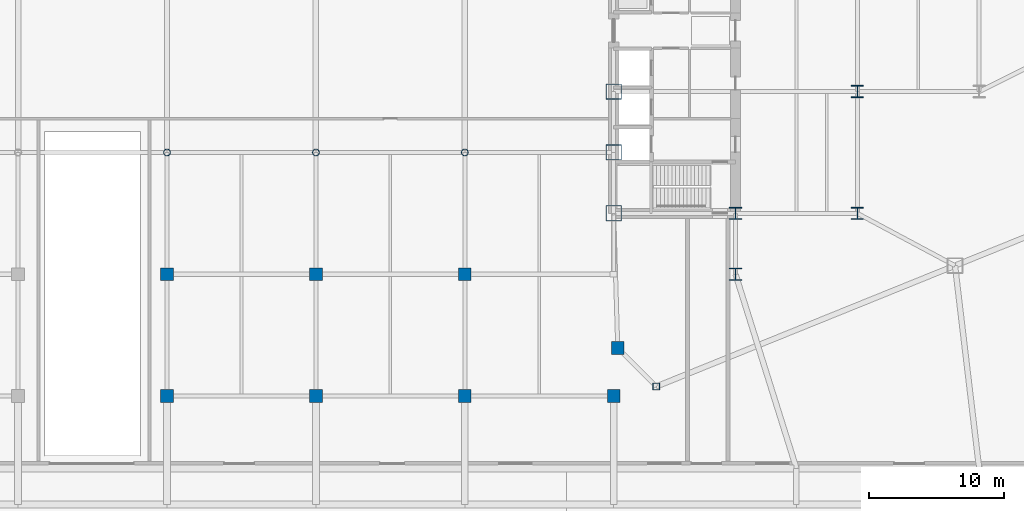
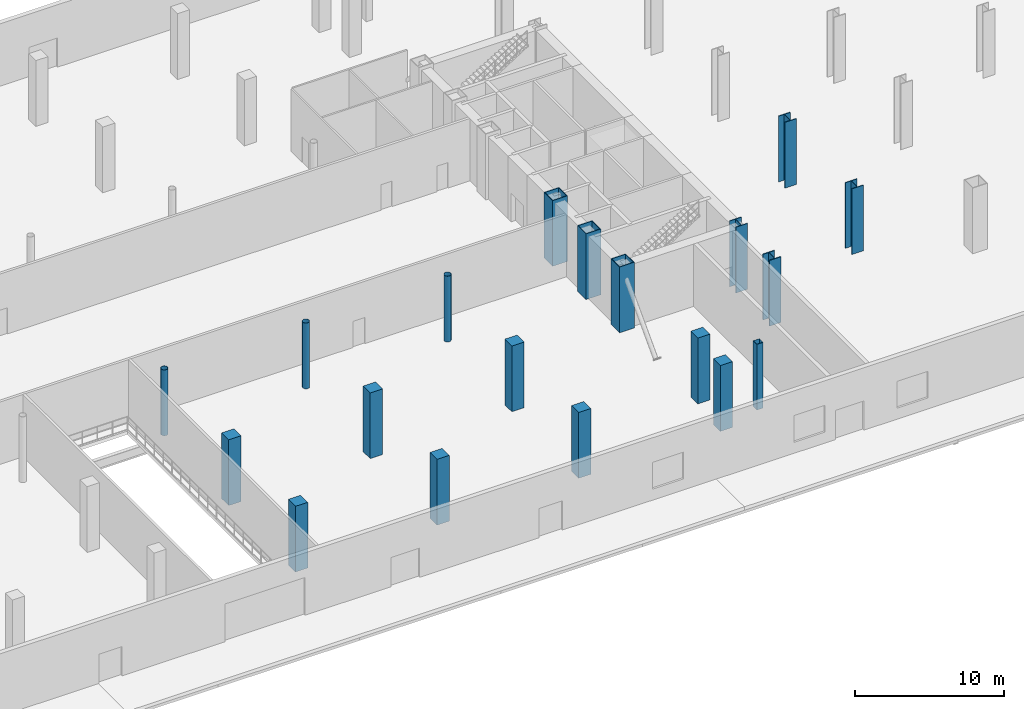
# One storey, part 4 of 21: 19 columns.
"""IFC4 building model written with IfcOpenShell, lengths in metres."""

import ifcopenshell
import ifcopenshell.guid

model = None  # the IFC model being written
_history = None  # IfcOwnerHistory: only IFC2X3 demands one
_inside = {}  # id of a spatial element -> (the spatial element, [elements in it])
_under = {}  # id of a project, library or spatial element -> (it, [spatial elements below it])
_declared = {}  # id of a project -> (the project, [libraries it declares])
_typed = {}  # id of a type object -> (the type object, [elements of that type])
_made_of = {}  # id of a material, layer set ... -> (it, [elements and type objects made of it])


def new_model(schema):
    """Start an empty IFC model of exactly this schema.

    Asked for "IFC4X3", IfcOpenShell would pick the latest addendum, in which some entities
    have other attributes; the version numbers below select the first issue.
    IFC2X3 requires an IfcOwnerHistory on every rooted entity: one is made here for all.
    """
    global model, _history
    if schema == "IFC4X3":
        model = ifcopenshell.file(schema_version=(4, 3, 0, 0))
    else:
        model = ifcopenshell.file(schema=schema)
    _inside.clear()
    _under.clear()
    _declared.clear()
    _typed.clear()
    _made_of.clear()
    _history = None
    if model.schema == "IFC2X3":
        org = make("IfcOrganization", Name="unknown")
        user = make(
            "IfcPersonAndOrganization",
            ThePerson=make("IfcPerson", FamilyName="unknown"),
            TheOrganization=org,
        )
        app = make(
            "IfcApplication",
            ApplicationDeveloper=org,
            Version="unknown",
            ApplicationFullName="unknown",
            ApplicationIdentifier="unknown",
        )
        _history = make(
            "IfcOwnerHistory",
            OwningUser=user,
            OwningApplication=app,
            ChangeAction="ADDED",
            CreationDate=0,
        )
    return model


def make(cls, **values):
    """One entity of the class cls with the attributes given. An attribute that is None is left unset."""
    return model.create_entity(
        cls, **{name: value for name, value in values.items() if value is not None}
    )


def rooted(cls, **values):
    """An entity with a GlobalId (a new one), such as an element, a storey or a relation."""
    return make(cls, GlobalId=ifcopenshell.guid.new(), OwnerHistory=_history, **values)


def si_unit(unit_type, name, prefix=None):
    """IfcSIUnit, for example si_unit("LENGTHUNIT", "METRE", prefix="MILLI")."""
    return make("IfcSIUnit", UnitType=unit_type, Prefix=prefix, Name=name)


def assignment(units):
    """IfcUnitAssignment: the units of a project."""
    return None if units is None else make("IfcUnitAssignment", Units=units)


def point(xyz):
    """IfcCartesianPoint."""
    return None if xyz is None else make("IfcCartesianPoint", Coordinates=xyz)


def direction(xyz):
    """IfcDirection."""
    return None if xyz is None else make("IfcDirection", DirectionRatios=xyz)


def frame(location, z_axis=None, x_axis=None):
    """IfcAxis2Placement3D, a coordinate frame: its origin and axes. An axis left out is left unset."""
    return make(
        "IfcAxis2Placement3D",
        Location=point(location),
        Axis=direction(z_axis),
        RefDirection=direction(x_axis),
    )


def frame_2d(location, x_axis=None):
    """IfcAxis2Placement2D, a coordinate frame in the plane: its origin and x axis."""
    return make(
        "IfcAxis2Placement2D", Location=point(location), RefDirection=direction(x_axis)
    )


def origin():
    """The frame at (0, 0, 0) with its axes left unset."""
    return frame((0.0, 0.0, 0.0))


def origin_2d():
    """The frame at (0, 0) in the plane with its x axis left unset."""
    return frame_2d((0.0, 0.0))


def place(relative_to, where):
    """IfcLocalPlacement: puts the frame where relative to a parent placement (None: the world)."""
    return make(
        "IfcLocalPlacement", PlacementRelTo=relative_to, RelativePlacement=where
    )


def context(
    kind, dimensions, precision=None, world=None, true_north=None, identifier=None
):
    """IfcGeometricRepresentationContext, for example the 3D "Model" context."""
    return make(
        "IfcGeometricRepresentationContext",
        ContextIdentifier=identifier,
        ContextType=kind,
        CoordinateSpaceDimension=dimensions,
        Precision=precision,
        WorldCoordinateSystem=world,
        TrueNorth=true_north,
    )


def subcontext(parent, identifier, kind, view, scale=None):
    """IfcGeometricRepresentationSubContext, for example "Body" below "Model"."""
    return make(
        "IfcGeometricRepresentationSubContext",
        ContextIdentifier=identifier,
        ContextType=kind,
        ParentContext=parent,
        TargetScale=scale,
        TargetView=view,
    )


def project(units=None, contexts=None):
    """IfcProject with its units and contexts."""
    return rooted(
        "IfcProject",
        Name="project",
        RepresentationContexts=contexts,
        UnitsInContext=assignment(units),
    )


def spatial(cls, under=None, at=None, **own):
    """A site, building, storey or space (cls), placed at a placement, below another one or the project."""
    s = rooted(cls, ObjectPlacement=at, **own)
    if under is not None:
        _under.setdefault(under.id(), (under, []))[1].append(s)
    return s


def profile(cls, at=None, kind="AREA", **sizes):
    """A parametric profile (cls). Its sizes go by their IFC names, for example OverallWidth=200.0."""
    return make(cls, ProfileType=kind, Position=at, **sizes)


def rectangle(**sizes):
    """IfcRectangleProfileDef."""
    return profile("IfcRectangleProfileDef", **sizes)


def hollow_rectangle(**sizes):
    """IfcRectangleHollowProfileDef."""
    return profile("IfcRectangleHollowProfileDef", **sizes)


def hollow_circle(**sizes):
    """IfcCircleHollowProfileDef."""
    return profile("IfcCircleHollowProfileDef", **sizes)


def i_section(**sizes):
    """IfcIShapeProfileDef."""
    return profile("IfcIShapeProfileDef", **sizes)


def extrude(swept, where, along, depth):
    """IfcExtrudedAreaSolid: the profile swept, set in the frame where, extruded along a direction by depth."""
    return make(
        "IfcExtrudedAreaSolid",
        SweptArea=swept,
        Position=where,
        ExtrudedDirection=direction(along),
        Depth=depth,
    )


def shape(context_of_items, identifier, shape_type, items):
    """IfcShapeRepresentation: the items that make up one representation, for example the "Body"."""
    return make(
        "IfcShapeRepresentation",
        ContextOfItems=context_of_items,
        RepresentationIdentifier=identifier,
        RepresentationType=shape_type,
        Items=items,
    )


def source(mapping_origin, context_of_items, identifier, shape_type, items):
    """IfcRepresentationMap: a shape defined once, which mapped items show again and again."""
    return make(
        "IfcRepresentationMap",
        MappingOrigin=mapping_origin,
        MappedRepresentation=shape(context_of_items, identifier, shape_type, items),
    )


def transform(
    local_origin,
    x_axis=None,
    y_axis=None,
    z_axis=None,
    scale=None,
    scale2=None,
    scale3=None,
    uniform=True,
):
    """IfcCartesianTransformationOperator3D, or its non-uniform kind. x_axis, y_axis, z_axis: its Axis1, 2, 3."""
    if uniform:
        return make(
            "IfcCartesianTransformationOperator3D",
            Axis1=direction(x_axis),
            Axis2=direction(y_axis),
            LocalOrigin=point(local_origin),
            Scale=scale,
            Axis3=direction(z_axis),
        )
    return make(
        "IfcCartesianTransformationOperator3DnonUniform",
        Axis1=direction(x_axis),
        Axis2=direction(y_axis),
        LocalOrigin=point(local_origin),
        Scale=scale,
        Axis3=direction(z_axis),
        Scale2=scale2,
        Scale3=scale3,
    )


def mapped(mapping_source, mapping_target):
    """IfcMappedItem: shows the shape of a source again, moved by a transform."""
    return make(
        "IfcMappedItem", MappingSource=mapping_source, MappingTarget=mapping_target
    )


def material(Name=None, Category=None):
    """IfcMaterial."""
    return make("IfcMaterial", Name=Name, Category=Category)


def material_profile(
    of_material, cross_section, Name=None, Category=None, Priority=None
):
    """IfcMaterialProfile: a cross section and its material."""
    return make(
        "IfcMaterialProfile",
        Name=Name,
        Material=of_material,
        Profile=cross_section,
        Priority=Priority,
        Category=Category,
    )


def profile_set(profiles, Name=None, composite=None):
    """IfcMaterialProfileSet."""
    return make(
        "IfcMaterialProfileSet",
        Name=Name,
        MaterialProfiles=profiles,
        CompositeProfile=composite,
    )


def made_of(thing, what):
    """Note that an element or type object is made of a material, layer set ...; save() writes the relation."""
    if what is not None:
        _made_of.setdefault(what.id(), (what, []))[1].append(thing)
    return thing


def type_object(cls, material=None, **own):
    """A type object (cls), such as IfcWallType, which elements share."""
    return made_of(rooted(cls, **own), material)


def type_shapes(of_type, sources):
    """Give a type object the sources (RepresentationMaps) that its elements show as mapped items."""
    of_type.RepresentationMaps = sources


def element(
    cls,
    number,
    at=None,
    inside=None,
    cuts=None,
    type_object=None,
    material=None,
    context=None,
    identifier="Body",
    shape_type=None,
    held_by="IfcProductDefinitionShape",
    body=None,
    shapes=None,
    **own,
):
    """One element of the class cls, such as IfcWall. Its Tag is "e" and its number.

    at: its placement. inside: the storey or other place that contains it. cuts: it is an
    opening in that element (IfcRelVoidsElement). A single representation is given by context,
    identifier, shape_type and body (its items); several are given by shapes. held_by: the class
    of the entity that holds the representations. save() writes the other relations.
    """
    e = rooted(cls, Tag="e%d" % number, ObjectPlacement=at, **own)
    if body is not None:
        shapes = [shape(context, identifier, shape_type, body)]
    if shapes is not None:
        e.Representation = make(held_by, Representations=shapes)
    if inside is not None:
        _inside.setdefault(inside.id(), (inside, []))[1].append(e)
    if cuts is not None:
        rooted(
            "IfcRelVoidsElement", RelatingBuildingElement=cuts, RelatedOpeningElement=e
        )
    if type_object is not None:
        _typed.setdefault(type_object.id(), (type_object, []))[1].append(e)
    return made_of(e, material)


def aggregate(whole, parts):
    """IfcRelAggregates: a whole, such as a stair, and the parts it consists of."""
    return rooted("IfcRelAggregates", RelatingObject=whole, RelatedObjects=parts)


def save(model, path):
    """Write the relations noted so far, then the file.

    IfcRelAggregates (storeys below a building ...), IfcRelContainedInSpatialStructure (elements
    in a storey), IfcRelDefinesByType, IfcRelAssociatesMaterial and IfcRelDeclares: one each for
    every whole, place, type object, material and project.
    """
    for whole, parts in _under.values():
        aggregate(whole, parts)
    for where, things in _inside.values():
        rooted(
            "IfcRelContainedInSpatialStructure",
            RelatedElements=things,
            RelatingStructure=where,
        )
    for kind, things in _typed.values():
        rooted("IfcRelDefinesByType", RelatedObjects=things, RelatingType=kind)
    for what, things in _made_of.values():
        rooted("IfcRelAssociatesMaterial", RelatedObjects=things, RelatingMaterial=what)
    for by, libraries in _declared.values():
        rooted("IfcRelDeclares", RelatingContext=by, RelatedDefinitions=libraries)
    model.write(path)


model = new_model("IFC4")

# Units and contexts
model_context = context("Model", 3, precision=1e-05, world=origin(), true_north=direction((0.0, 1.0)))
body_context = subcontext(model_context, "Body", "Model", "MODEL_VIEW")
ifc_project = project(units=[si_unit("LENGTHUNIT", "METRE"), si_unit("AREAUNIT", "SQUARE_METRE"), si_unit("VOLUMEUNIT", "CUBIC_METRE"), si_unit("PLANEANGLEUNIT", "RADIAN"), si_unit("MASSUNIT", "GRAM", prefix="KILO")], contexts=[model_context])

# Site, building, storey
site_placement = place(None, origin())
site = spatial("IfcSite", under=ifc_project, at=site_placement, CompositionType="ELEMENT")
building_placement = place(site_placement, origin())
building = spatial("IfcBuilding", under=site, at=building_placement, Name="Seokmaru Belvedere", CompositionType="ELEMENT")
storey_placement = place(building_placement, origin())
storey = spatial("IfcBuildingStorey", under=building, at=storey_placement, Name="L00", CompositionType="ELEMENT", Elevation=0.0)

# Columns
ifc_material_1 = material(Name="Steel HSA650 (650 MPa)", Category="steel")
ifc_material_profile_1 = material_profile(ifc_material_1, hollow_rectangle(XDim=1.14990234375, YDim=1.14990234375, WallThickness=0.048095703125, at=origin_2d()), Name="BOX-1150x1150x48")
ifc_profile_set_1 = profile_set([ifc_material_profile_1], Name="Steel HSA650 (650 MPa)")
column_type_1 = type_object("IfcColumnType", Name="Portal Spine Column BOX-1150", PredefinedType="COLUMN", material=ifc_profile_set_1)
shared_shape_1 = source(origin(), body_context, "Body", "SweptSolid", [
    extrude(hollow_rectangle(XDim=1.14990234375, YDim=1.14990234375, WallThickness=0.048095703125, at=origin_2d()), origin(), (0.0, 0.0, 1.0), 5.39990234375),
])
type_shapes(column_type_1, [shared_shape_1])
for number, where, z_axis, x_axis, name in (
    (1, (27.5, -13.5, 0.0), (0.0, 0.0, 1.0), (1.0, 0.0, 0.0), "L00 Column ES1"),
    (2, (27.5, -9.0, 0.0), (0.0, 0.0, 1.0), (1.0, 0.0, 0.0), "L00 Column ES2"),
    (3, (27.5, -4.5, 0.0), (0.0, 0.0, 1.0), (1.0, 0.0, 0.0), "L00 Column ES3"),
):
    element("IfcColumn", number, at=place(storey_placement, frame(where, z_axis=z_axis, x_axis=x_axis)), inside=storey, type_object=column_type_1, Name=name, PredefinedType="COLUMN", context=body_context, shape_type="MappedRepresentation", body=[
        mapped(shared_shape_1, transform((0.0, 0.0, 0.0), scale=1.0)),
    ])
ifc_material_2 = material(Name="Concrete C50 (50 MPa)", Category="concrete")
ifc_material_profile_2 = material_profile(ifc_material_2, rectangle(XDim=0.949951171875, YDim=0.949951171875, at=origin_2d()), Name="RC-950x950")
ifc_profile_set_2 = profile_set([ifc_material_profile_2], Name="Concrete C50 (50 MPa)")
column_type_2 = type_object("IfcColumnType", Name="Podium Substructure Column RC-950", PredefinedType="COLUMN", material=ifc_profile_set_2)
shared_shape_2 = source(origin(), body_context, "Body", "SweptSolid", [
    extrude(rectangle(XDim=0.949951171875, YDim=0.949951171875, at=origin_2d()), origin(), (0.0, 0.0, 1.0), 5.39990234375),
])
type_shapes(column_type_2, [shared_shape_2])
for number, where, z_axis, x_axis, name in (
    (4, (27.5, -27.0, 0.0), (0.0, 0.0, 1.0), (1.0, 0.0, 0.0), "L00 Column EPS1"),
    (5, (27.800048828125, -23.451416015625, 0.0), (0.0, 0.0, 1.0), (1.0, 0.0, 0.0), "L00 Column EPM_S"),
    (6, (-5.5, -27.0, 0.0), (0.0, 0.0, 1.0), (1.0, 0.0, 0.0), "L00 Column CP2_1"),
    (7, (-5.5, -18.0, 0.0), (0.0, 0.0, 1.0), (1.0, 0.0, 0.0), "L00 Column CP2_2"),
    (8, (5.5, -27.0, 0.0), (0.0, 0.0, 1.0), (1.0, 0.0, 0.0), "L00 Column CP3_1"),
    (9, (5.5, -18.0, 0.0), (0.0, 0.0, 1.0), (1.0, 0.0, 0.0), "L00 Column CP3_2"),
    (10, (16.5, -27.0, 0.0), (0.0, 0.0, 1.0), (1.0, 0.0, 0.0), "L00 Column CP4_1"),
    (11, (16.5, -18.0, 0.0), (0.0, 0.0, 1.0), (1.0, 0.0, 0.0), "L00 Column CP4_2"),
):
    element("IfcColumn", number, at=place(storey_placement, frame(where, z_axis=z_axis, x_axis=x_axis)), inside=storey, type_object=column_type_2, Name=name, PredefinedType="COLUMN", context=body_context, shape_type="MappedRepresentation", body=[
        mapped(shared_shape_2, transform((0.0, 0.0, 0.0), scale=1.0)),
    ])
ifc_material_profile_3 = material_profile(ifc_material_1, i_section(OverallWidth=0.89990234375, OverallDepth=0.89990234375, WebThickness=0.035888671875, FlangeThickness=0.054931640625, at=origin_2d()), Name="H-900x900x36x55")
ifc_profile_set_3 = profile_set([ifc_material_profile_3], Name="Steel HSA650 (650 MPa)")
column_type_3 = type_object("IfcColumnType", Name="Lower Interior Column H-900", PredefinedType="COLUMN", material=ifc_profile_set_3)
shared_shape_3 = source(origin(), body_context, "Body", "SweptSolid", [
    extrude(i_section(OverallWidth=0.89990234375, OverallDepth=0.89990234375, WebThickness=0.035888671875, FlangeThickness=0.054931640625, at=origin_2d()), origin(), (0.0, 0.0, 1.0), 5.39990234375),
])
type_shapes(column_type_3, [shared_shape_3])
for number, where, z_axis, x_axis, name in (
    (12, (36.5, -18.0, 0.0), (0.0, 0.0, 1.0), (1.0, 0.0, 0.0), "L00 Column EC1"),
    (13, (36.5, -13.5, 0.0), (0.0, 0.0, 1.0), (1.0, 0.0, 0.0), "L00 Column EC2"),
    (14, (45.5, -13.5, 0.0), (0.0, 0.0, 1.0), (1.0, 0.0, 0.0), "L00 Column EG5_1"),
    (15, (45.5, -4.5, 0.0), (0.0, 0.0, 1.0), (1.0, 0.0, 0.0), "L00 Column EG5_2"),
):
    element("IfcColumn", number, at=place(storey_placement, frame(where, z_axis=z_axis, x_axis=x_axis)), inside=storey, type_object=column_type_3, Name=name, PredefinedType="COLUMN", context=body_context, shape_type="MappedRepresentation", body=[
        mapped(shared_shape_3, transform((0.0, 0.0, 0.0), scale=1.0)),
    ])
ifc_material_3 = material(Name="Steel SM355 (355 MPa)", Category="steel")
ifc_material_profile_4 = material_profile(ifc_material_3, hollow_rectangle(XDim=0.5, YDim=0.5, WallThickness=0.02001953125, at=origin_2d()), Name="HSS-500x500x20")
ifc_profile_set_4 = profile_set([ifc_material_profile_4], Name="Steel SM355 (355 MPa)")
column_type_4 = type_object("IfcColumnType", Name="Perimeter Facet Column HSS-500", PredefinedType="COLUMN", material=ifc_profile_set_4)
shared_shape_4 = source(origin(), body_context, "Body", "SweptSolid", [
    extrude(hollow_rectangle(XDim=0.5, YDim=0.5, WallThickness=0.02001953125, at=origin_2d()), origin(), (0.0, 0.0, 1.0), 5.39990234375),
])
type_shapes(column_type_4, [shared_shape_4])
column_placement = place(storey_placement, frame((30.643310546875, -26.294677734375, 0.0), z_axis=(0.0, 0.0, 1.0), x_axis=(1.0, 0.0, 0.0)))
element("IfcColumn", 16, at=column_placement, inside=storey, type_object=column_type_4, Name="L00 Column EF1", PredefinedType="COLUMN", context=body_context, shape_type="MappedRepresentation", body=[
    mapped(shared_shape_4, transform((0.0, 0.0, 0.0), scale=1.0)),
])
ifc_material_profile_5 = material_profile(ifc_material_3, hollow_circle(Radius=0.25390625, WallThickness=0.01904296875, at=origin_2d()), Name="CHS-508.0x19.0")
ifc_profile_set_5 = profile_set([ifc_material_profile_5], Name="Steel SM355 (355 MPa)")
column_type_5 = type_object("IfcColumnType", Name="Concourse Feature Column CHS-508", PredefinedType="COLUMN", material=ifc_profile_set_5)
shared_shape_5 = source(origin(), body_context, "Body", "SweptSolid", [
    extrude(hollow_circle(Radius=0.25390625, WallThickness=0.01904296875, at=origin_2d()), origin(), (0.0, 0.0, 1.0), 5.39990234375),
])
type_shapes(column_type_5, [shared_shape_5])
for number, where, z_axis, x_axis, name in (
    (17, (-5.5, -9.0, 0.0), (0.0, 0.0, 1.0), (1.0, 0.0, 0.0), "L00 Column CP2_3"),
    (18, (5.5, -9.0, 0.0), (0.0, 0.0, 1.0), (1.0, 0.0, 0.0), "L00 Column CP3_3"),
    (19, (16.5, -9.0, 0.0), (0.0, 0.0, 1.0), (1.0, 0.0, 0.0), "L00 Column CP4_3"),
):
    element("IfcColumn", number, at=place(storey_placement, frame(where, z_axis=z_axis, x_axis=x_axis)), inside=storey, type_object=column_type_5, Name=name, PredefinedType="COLUMN", context=body_context, shape_type="MappedRepresentation", body=[
        mapped(shared_shape_5, transform((0.0, 0.0, 0.0), scale=1.0)),
    ])

save(model, "model.ifc")
